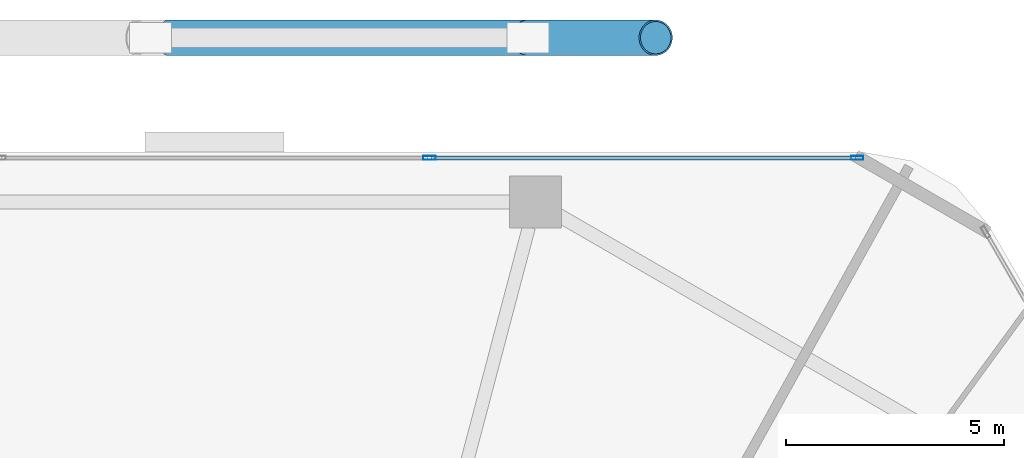
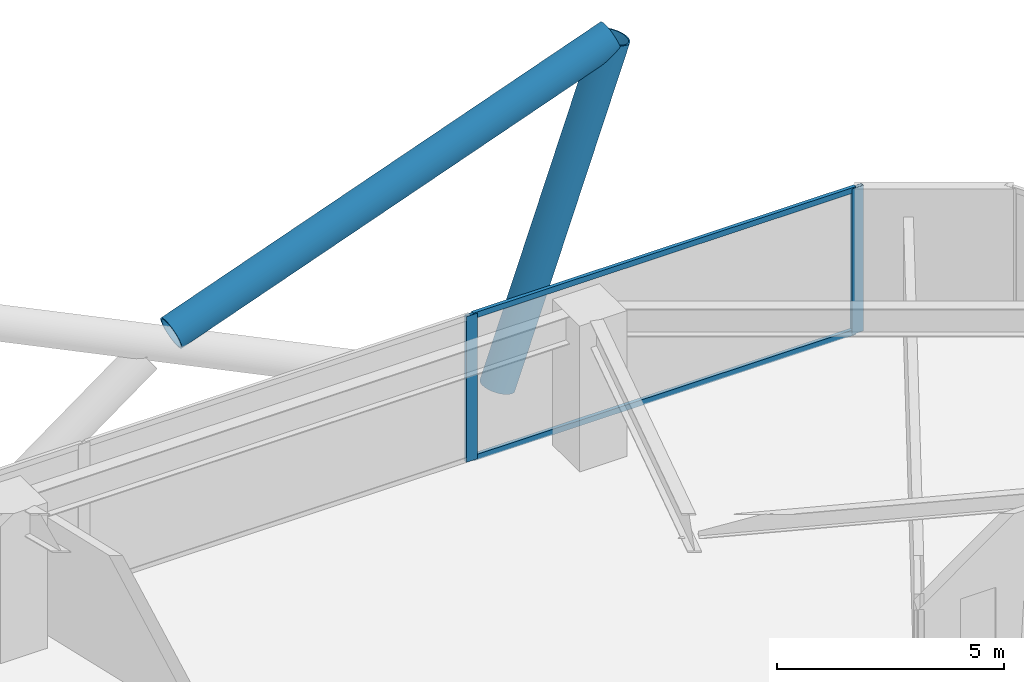
# One storey, part 21 of 30: 6 members, 1 element without a shape of its own.
"""IFC4 building model written with IfcOpenShell, lengths in metres."""

import ifcopenshell
import ifcopenshell.guid

model = None  # the IFC model being written
_history = None  # IfcOwnerHistory: only IFC2X3 demands one
_inside = {}  # id of a spatial element -> (the spatial element, [elements in it])
_under = {}  # id of a project, library or spatial element -> (it, [spatial elements below it])
_declared = {}  # id of a project -> (the project, [libraries it declares])
_typed = {}  # id of a type object -> (the type object, [elements of that type])
_made_of = {}  # id of a material, layer set ... -> (it, [elements and type objects made of it])


def new_model(schema):
    """Start an empty IFC model of exactly this schema.

    Asked for "IFC4X3", IfcOpenShell would pick the latest addendum, in which some entities
    have other attributes; the version numbers below select the first issue.
    IFC2X3 requires an IfcOwnerHistory on every rooted entity: one is made here for all.
    """
    global model, _history
    if schema == "IFC4X3":
        model = ifcopenshell.file(schema_version=(4, 3, 0, 0))
    else:
        model = ifcopenshell.file(schema=schema)
    _inside.clear()
    _under.clear()
    _declared.clear()
    _typed.clear()
    _made_of.clear()
    _history = None
    if model.schema == "IFC2X3":
        org = make("IfcOrganization", Name="unknown")
        user = make(
            "IfcPersonAndOrganization",
            ThePerson=make("IfcPerson", FamilyName="unknown"),
            TheOrganization=org,
        )
        app = make(
            "IfcApplication",
            ApplicationDeveloper=org,
            Version="unknown",
            ApplicationFullName="unknown",
            ApplicationIdentifier="unknown",
        )
        _history = make(
            "IfcOwnerHistory",
            OwningUser=user,
            OwningApplication=app,
            ChangeAction="ADDED",
            CreationDate=0,
        )
    return model


def make(cls, **values):
    """One entity of the class cls with the attributes given. An attribute that is None is left unset."""
    return model.create_entity(
        cls, **{name: value for name, value in values.items() if value is not None}
    )


def rooted(cls, **values):
    """An entity with a GlobalId (a new one), such as an element, a storey or a relation."""
    return make(cls, GlobalId=ifcopenshell.guid.new(), OwnerHistory=_history, **values)


def si_unit(unit_type, name, prefix=None):
    """IfcSIUnit, for example si_unit("LENGTHUNIT", "METRE", prefix="MILLI")."""
    return make("IfcSIUnit", UnitType=unit_type, Prefix=prefix, Name=name)


def assignment(units):
    """IfcUnitAssignment: the units of a project."""
    return None if units is None else make("IfcUnitAssignment", Units=units)


def point(xyz):
    """IfcCartesianPoint."""
    return None if xyz is None else make("IfcCartesianPoint", Coordinates=xyz)


def direction(xyz):
    """IfcDirection."""
    return None if xyz is None else make("IfcDirection", DirectionRatios=xyz)


def frame(location, z_axis=None, x_axis=None):
    """IfcAxis2Placement3D, a coordinate frame: its origin and axes. An axis left out is left unset."""
    return make(
        "IfcAxis2Placement3D",
        Location=point(location),
        Axis=direction(z_axis),
        RefDirection=direction(x_axis),
    )


def frame_2d(location, x_axis=None):
    """IfcAxis2Placement2D, a coordinate frame in the plane: its origin and x axis."""
    return make(
        "IfcAxis2Placement2D", Location=point(location), RefDirection=direction(x_axis)
    )


def origin():
    """The frame at (0, 0, 0) with its axes left unset."""
    return frame((0.0, 0.0, 0.0))


def origin_2d():
    """The frame at (0, 0) in the plane with its x axis left unset."""
    return frame_2d((0.0, 0.0))


def place(relative_to, where):
    """IfcLocalPlacement: puts the frame where relative to a parent placement (None: the world)."""
    return make(
        "IfcLocalPlacement", PlacementRelTo=relative_to, RelativePlacement=where
    )


def context(
    kind, dimensions, precision=None, world=None, true_north=None, identifier=None
):
    """IfcGeometricRepresentationContext, for example the 3D "Model" context."""
    return make(
        "IfcGeometricRepresentationContext",
        ContextIdentifier=identifier,
        ContextType=kind,
        CoordinateSpaceDimension=dimensions,
        Precision=precision,
        WorldCoordinateSystem=world,
        TrueNorth=true_north,
    )


def subcontext(parent, identifier, kind, view, scale=None):
    """IfcGeometricRepresentationSubContext, for example "Body" below "Model"."""
    return make(
        "IfcGeometricRepresentationSubContext",
        ContextIdentifier=identifier,
        ContextType=kind,
        ParentContext=parent,
        TargetScale=scale,
        TargetView=view,
    )


def project(units=None, contexts=None):
    """IfcProject with its units and contexts."""
    return rooted(
        "IfcProject",
        Name="project",
        RepresentationContexts=contexts,
        UnitsInContext=assignment(units),
    )


def spatial(cls, under=None, at=None, **own):
    """A site, building, storey or space (cls), placed at a placement, below another one or the project."""
    s = rooted(cls, ObjectPlacement=at, **own)
    if under is not None:
        _under.setdefault(under.id(), (under, []))[1].append(s)
    return s


def profile(cls, at=None, kind="AREA", **sizes):
    """A parametric profile (cls). Its sizes go by their IFC names, for example OverallWidth=200.0."""
    return make(cls, ProfileType=kind, Position=at, **sizes)


def hollow_rectangle(**sizes):
    """IfcRectangleHollowProfileDef."""
    return profile("IfcRectangleHollowProfileDef", **sizes)


def hollow_circle(**sizes):
    """IfcCircleHollowProfileDef."""
    return profile("IfcCircleHollowProfileDef", **sizes)


def extrude(swept, where, along, depth):
    """IfcExtrudedAreaSolid: the profile swept, set in the frame where, extruded along a direction by depth."""
    return make(
        "IfcExtrudedAreaSolid",
        SweptArea=swept,
        Position=where,
        ExtrudedDirection=direction(along),
        Depth=depth,
    )


def shape(context_of_items, identifier, shape_type, items):
    """IfcShapeRepresentation: the items that make up one representation, for example the "Body"."""
    return make(
        "IfcShapeRepresentation",
        ContextOfItems=context_of_items,
        RepresentationIdentifier=identifier,
        RepresentationType=shape_type,
        Items=items,
    )


def material(Name=None, Category=None):
    """IfcMaterial."""
    return make("IfcMaterial", Name=Name, Category=Category)


def material_profile(
    of_material, cross_section, Name=None, Category=None, Priority=None
):
    """IfcMaterialProfile: a cross section and its material."""
    return make(
        "IfcMaterialProfile",
        Name=Name,
        Material=of_material,
        Profile=cross_section,
        Priority=Priority,
        Category=Category,
    )


def profile_set(profiles, Name=None, composite=None):
    """IfcMaterialProfileSet."""
    return make(
        "IfcMaterialProfileSet",
        Name=Name,
        MaterialProfiles=profiles,
        CompositeProfile=composite,
    )


def made_of(thing, what):
    """Note that an element or type object is made of a material, layer set ...; save() writes the relation."""
    if what is not None:
        _made_of.setdefault(what.id(), (what, []))[1].append(thing)
    return thing


def type_object(cls, material=None, **own):
    """A type object (cls), such as IfcWallType, which elements share."""
    return made_of(rooted(cls, **own), material)


def element(
    cls,
    number,
    at=None,
    inside=None,
    cuts=None,
    type_object=None,
    material=None,
    context=None,
    identifier="Body",
    shape_type=None,
    held_by="IfcProductDefinitionShape",
    body=None,
    shapes=None,
    **own,
):
    """One element of the class cls, such as IfcWall. Its Tag is "e" and its number.

    at: its placement. inside: the storey or other place that contains it. cuts: it is an
    opening in that element (IfcRelVoidsElement). A single representation is given by context,
    identifier, shape_type and body (its items); several are given by shapes. held_by: the class
    of the entity that holds the representations. save() writes the other relations.
    """
    e = rooted(cls, Tag="e%d" % number, ObjectPlacement=at, **own)
    if body is not None:
        shapes = [shape(context, identifier, shape_type, body)]
    if shapes is not None:
        e.Representation = make(held_by, Representations=shapes)
    if inside is not None:
        _inside.setdefault(inside.id(), (inside, []))[1].append(e)
    if cuts is not None:
        rooted(
            "IfcRelVoidsElement", RelatingBuildingElement=cuts, RelatedOpeningElement=e
        )
    if type_object is not None:
        _typed.setdefault(type_object.id(), (type_object, []))[1].append(e)
    return made_of(e, material)


def aggregate(whole, parts):
    """IfcRelAggregates: a whole, such as a stair, and the parts it consists of."""
    return rooted("IfcRelAggregates", RelatingObject=whole, RelatedObjects=parts)


def save(model, path):
    """Write the relations noted so far, then the file.

    IfcRelAggregates (storeys below a building ...), IfcRelContainedInSpatialStructure (elements
    in a storey), IfcRelDefinesByType, IfcRelAssociatesMaterial and IfcRelDeclares: one each for
    every whole, place, type object, material and project.
    """
    for whole, parts in _under.values():
        aggregate(whole, parts)
    for where, things in _inside.values():
        rooted(
            "IfcRelContainedInSpatialStructure",
            RelatedElements=things,
            RelatingStructure=where,
        )
    for kind, things in _typed.values():
        rooted("IfcRelDefinesByType", RelatedObjects=things, RelatingType=kind)
    for what, things in _made_of.values():
        rooted("IfcRelAssociatesMaterial", RelatedObjects=things, RelatingMaterial=what)
    for by, libraries in _declared.values():
        rooted("IfcRelDeclares", RelatingContext=by, RelatedDefinitions=libraries)
    model.write(path)


model = new_model("IFC4")

# Units and contexts
model_context = context("Model", 3, precision=1e-05, world=origin(), true_north=direction((0.0, 1.0)))
body_context = subcontext(model_context, "Body", "Model", "MODEL_VIEW")
ifc_project = project(units=[si_unit("LENGTHUNIT", "METRE"), si_unit("AREAUNIT", "SQUARE_METRE"), si_unit("VOLUMEUNIT", "CUBIC_METRE"), si_unit("PLANEANGLEUNIT", "RADIAN"), si_unit("MASSUNIT", "GRAM", prefix="KILO")], contexts=[model_context])

# Site, building, storey
site_placement = place(None, origin())
site = spatial("IfcSite", under=ifc_project, at=site_placement, CompositionType="ELEMENT")
building_placement = place(site_placement, origin())
building = spatial("IfcBuilding", under=site, at=building_placement, Name="Zuhravey Tower", CompositionType="ELEMENT")
storey_placement = place(building_placement, frame((0.0, 0.0, 33.0)))
storey = spatial("IfcBuildingStorey", under=building, at=storey_placement, Name="L08", CompositionType="ELEMENT", Elevation=33.0)

# Curtain wall, members
ifc_material_1 = material(Name="Thermally broken anodised aluminium", Category="aluminium")
curtain_wall_type = type_object("IfcCurtainWallType", Name="School Low-E Unitised Curtain Wall CW1", PredefinedType="NOTDEFINED", material=ifc_material_1)
curtain_wall_placement = place(storey_placement, origin())
curtain_wall = element("IfcCurtainWall", 1, at=curtain_wall_placement, inside=storey, type_object=curtain_wall_type, Name="L08 CW1 CW-L08-F2-1", PredefinedType="NOTDEFINED")
ifc_material_2 = material(Name="Anodised aluminium", Category="aluminium")
ifc_material_profile_1 = material_profile(ifc_material_2, hollow_rectangle(XDim=0.090087890625, YDim=0.284912109375, WallThickness=0.0048828125, at=origin_2d()), Name="ALU-RHS-90x285x5")
ifc_profile_set_1 = profile_set([ifc_material_profile_1], Name="Anodised aluminium")
member_type_1 = type_object("IfcMemberType", Name="Curtain-Wall Mullion 90x180", PredefinedType="MULLION", material=ifc_profile_set_1)
member_1_placement = place(storey_placement, frame((40.93310546875, 60.95849609375, 0.0), z_axis=(0.0, 0.0, 1.0), x_axis=(0.0, 1.0, 0.0)))
member_1 = element("IfcMember", 2, at=member_1_placement, type_object=member_type_1, Name="CW1 mullion 3", PredefinedType="MULLION", context=body_context, shape_type="SweptSolid", body=[
    extrude(hollow_rectangle(XDim=0.090087890625, YDim=0.284912109375, WallThickness=0.0048828125, at=origin_2d()), origin(), (0.0, 0.0, 1.0), 3.919921875),
])
member_2_placement = place(storey_placement, frame((50.75439453125, 60.95849609375, 0.0), z_axis=(0.0, 0.0, 1.0), x_axis=(0.0, 1.0, 0.0)))
member_2 = element("IfcMember", 3, at=member_2_placement, type_object=member_type_1, Name="CW1 mullion 4", PredefinedType="MULLION", context=body_context, shape_type="SweptSolid", body=[
    extrude(hollow_rectangle(XDim=0.090087890625, YDim=0.284912109375, WallThickness=0.0048828125, at=origin_2d()), origin(), (0.0, 0.0, 1.0), 3.919921875),
])
ifc_material_profile_2 = material_profile(ifc_material_2, hollow_rectangle(XDim=0.090087890625, YDim=0.14990234375, WallThickness=0.0048828125, at=origin_2d()), Name="ALU-RHS-90x150x5")
ifc_profile_set_2 = profile_set([ifc_material_profile_2], Name="Anodised aluminium")
member_type_2 = type_object("IfcMemberType", Name="Curtain-Wall Transom 90x150", PredefinedType="USERDEFINED", material=ifc_profile_set_2)
member_3_placement = place(storey_placement, frame((40.978271484375, 60.95849609375, 0.044921875), z_axis=(1.0, 0.0, 0.0), x_axis=(0.0, 1.0, 0.0)))
member_3 = element("IfcMember", 4, at=member_3_placement, type_object=member_type_2, Name="CW1 transom 3.1", ObjectType="TRANSOM", PredefinedType="USERDEFINED", context=body_context, shape_type="SweptSolid", body=[
    extrude(hollow_rectangle(XDim=0.090087890625, YDim=0.14990234375, WallThickness=0.0048828125, at=origin_2d()), origin(), (0.0, 0.0, 1.0), 9.731201171875),
])
member_4_placement = place(storey_placement, frame((40.978271484375, 60.95849609375, 3.875), z_axis=(1.0, 0.0, 0.0), x_axis=(0.0, 1.0, 0.0)))
member_4 = element("IfcMember", 5, at=member_4_placement, type_object=member_type_2, Name="CW1 transom 3.2", ObjectType="TRANSOM", PredefinedType="USERDEFINED", context=body_context, shape_type="SweptSolid", body=[
    extrude(hollow_rectangle(XDim=0.090087890625, YDim=0.14990234375, WallThickness=0.0048828125, at=origin_2d()), origin(), (0.0, 0.0, 1.0), 9.731201171875),
])
aggregate(curtain_wall, [member_1, member_2, member_3, member_4])

# Members
ifc_material_3 = material(Name="Steel SM460", Category="steel")
ifc_material_profile_3 = material_profile(ifc_material_3, hollow_circle(Radius=0.406494140625, WallThickness=0.035888671875, at=origin_2d()), Name="CHS-812.8x36")
ifc_profile_set_3 = profile_set([ifc_material_profile_3], Name="Steel SM460")
member_type_3 = type_object("IfcMemberType", Name="Exoskeleton Zone 1 Diagrid CHS813x36", PredefinedType="BRACE", material=ifc_profile_set_3)
member_5_placement = place(storey_placement, frame((43.20166015625, 63.718505859375, -0.471923828125), z_axis=(0.330642732694, 0.0, 0.943755997764), x_axis=(0.0, 1.0, 0.0)))
element("IfcMember", 6, at=member_5_placement, inside=storey, type_object=member_type_3, Name="L08 Face 2 Diagrid Brace 1", PredefinedType="BRACE", context=body_context, shape_type="SweptSolid", body=[
    extrude(hollow_circle(Radius=0.406494140625, WallThickness=0.035888671875, at=origin_2d()), origin(), (0.0, 0.0, 1.0), 8.85400390625),
])
member_6_placement = place(storey_placement, frame((34.9013671875, 63.718505859375, 3.8408203125), z_axis=(0.940339213945, 0.0, 0.34023839101), x_axis=(0.0, 1.0, 0.0)))
element("IfcMember", 7, at=member_6_placement, inside=storey, type_object=member_type_3, Name="L08 Face 2 Split Diagrid Brace 3B", PredefinedType="BRACE", context=body_context, shape_type="SweptSolid", body=[
    extrude(hollow_circle(Radius=0.406494140625, WallThickness=0.035888671875, at=origin_2d()), origin(), (0.0, 0.0, 1.0), 11.897705078125),
])

save(model, "model.ifc")
